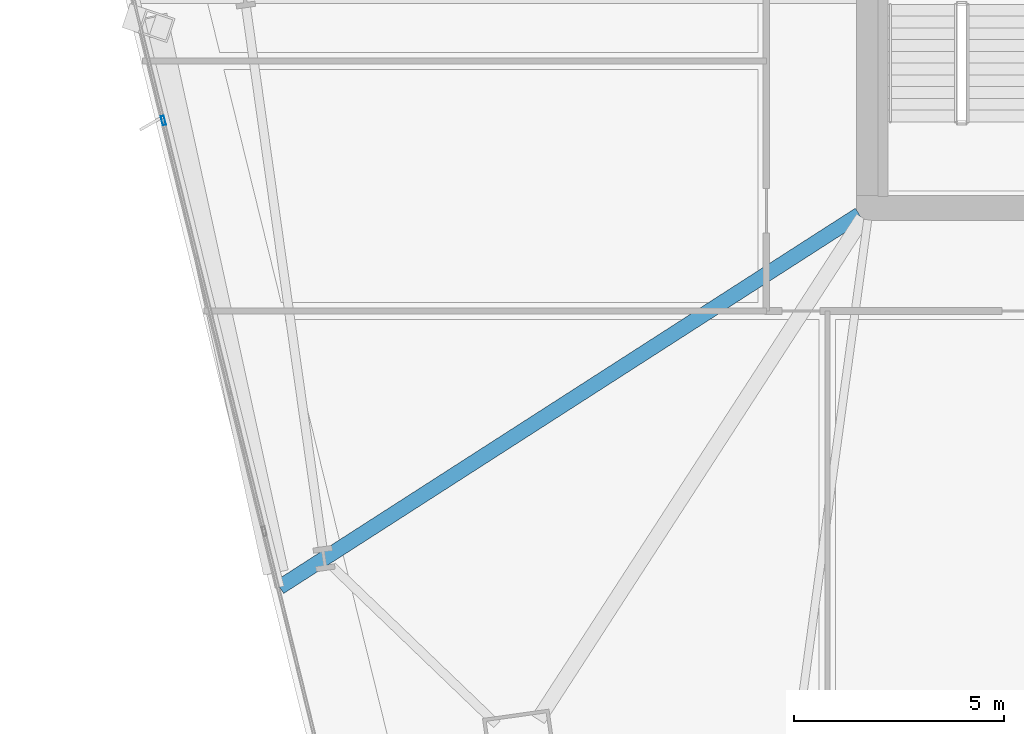
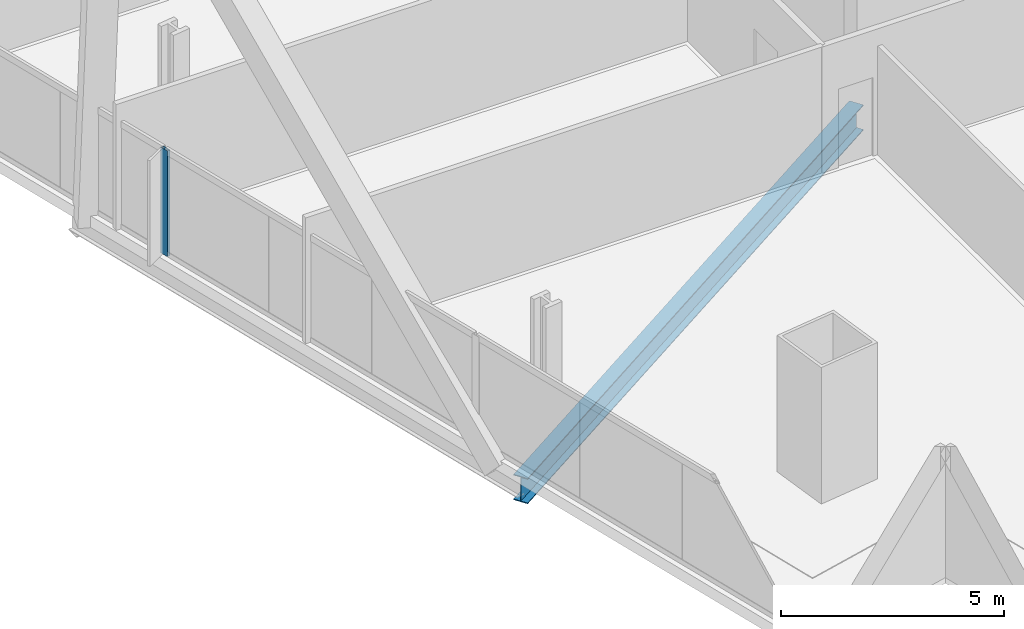
# One storey, part 5 of 32: 1 beam, 1 member, 1 element without a shape of its own.
"""IFC4 building model written with IfcOpenShell, lengths in metres."""

from ifc_helpers import new_model, si_unit, direction, frame, origin, origin_2d, place, context, subcontext, project, spatial, hollow_rectangle, i_section, extrude, material, material_profile, profile_set, type_object, element, aggregate, save


model = new_model("IFC4")

# Units and contexts
model_context = context("Model", 3, precision=1e-05, world=origin(), true_north=direction((0.0, 1.0)))
body_context = subcontext(model_context, "Body", "Model", "MODEL_VIEW")
ifc_project = project(units=[si_unit("LENGTHUNIT", "METRE"), si_unit("AREAUNIT", "SQUARE_METRE"), si_unit("VOLUMEUNIT", "CUBIC_METRE"), si_unit("PLANEANGLEUNIT", "RADIAN"), si_unit("MASSUNIT", "GRAM", prefix="KILO")], contexts=[model_context])

# Site, building, storey
site_placement = place(None, origin())
site = spatial("IfcSite", under=ifc_project, at=site_placement, CompositionType="ELEMENT")
building_placement = place(site_placement, origin())
building = spatial("IfcBuilding", under=site, at=building_placement, Name="Haldenkirk Collegiate Tower", CompositionType="ELEMENT")
storey_placement = place(building_placement, frame((0.0, 0.0, 73.949951171875)))
storey = spatial("IfcBuildingStorey", under=building, at=storey_placement, Name="L17", CompositionType="ELEMENT", Elevation=73.949951171875)

# Beam
ifc_material_1 = material(Name="Steel ASTM A992 Grade 50", Category="steel")
ifc_material_profile_1 = material_profile(ifc_material_1, i_section(OverallWidth=0.35498046875, OverallDepth=0.696044921875, WebThickness=0.015380859375, FlangeThickness=0.02490234375, at=origin_2d()), Name="W27X146")
ifc_profile_set_1 = profile_set([ifc_material_profile_1], Name="Steel ASTM A992 Grade 50")
beam_type = type_object("IfcBeamType", Name="BM-GIRDER-W27X146", PredefinedType="BEAM", material=ifc_profile_set_1)
beam_placement = place(storey_placement, frame((12.96533203125, 8.97802734375, -0.657958984375), z_axis=(0.841184761512, 0.540747812756, 0.0), x_axis=(-0.540747812756, 0.841184761512, 0.0)))
element("IfcBeam", 1, at=beam_placement, inside=storey, type_object=beam_type, Name="L17 primary floor girder 16", PredefinedType="BEAM", context=body_context, shape_type="SweptSolid", body=[
    extrude(i_section(OverallWidth=0.35498046875, OverallDepth=0.696044921875, WebThickness=0.015380859375, FlangeThickness=0.02490234375, at=origin_2d()), origin(), (0.0, 0.0, 1.0), 16.404296875),
])

# Curtain wall, member
ifc_material_2 = material(Name="Anodised architectural bronze aluminium", Category="aluminium")
curtain_wall_type = type_object("IfcCurtainWallType", Name="CW-SYS1-CONVEX-LOW", PredefinedType="USERDEFINED", material=ifc_material_2)
curtain_wall_placement = place(storey_placement, origin())
curtain_wall = element("IfcCurtainWall", 2, at=curtain_wall_placement, inside=storey, type_object=curtain_wall_type, Name="L17 Lower tower convex bronze-framed unitised curtain wall", ObjectType="UNITISED CURTAIN WALL", PredefinedType="USERDEFINED")
ifc_material_profile_2 = material_profile(ifc_material_2, hollow_rectangle(XDim=0.080078125, YDim=0.219970703125, WallThickness=0.0048828125, at=origin_2d()), Name="CW-MUL-1A")
ifc_profile_set_2 = profile_set([ifc_material_profile_2], Name="Anodised architectural bronze aluminium")
member_type = type_object("IfcMemberType", Name="CW-MUL-1A", PredefinedType="MULLION", material=ifc_profile_set_2)
member_placement = place(storey_placement, frame((10.195556640625, 20.086669921875, 0.0), z_axis=(0.0, 0.0, 1.0), x_axis=(-0.97113457572, -0.238532253249, 0.0)))
member = element("IfcMember", 3, at=member_placement, type_object=member_type, Name="CW-1A mullion 3", PredefinedType="MULLION", context=body_context, shape_type="SweptSolid", body=[
    extrude(hollow_rectangle(XDim=0.080078125, YDim=0.219970703125, WallThickness=0.0048828125, at=origin_2d()), origin(), (0.0, 0.0, 1.0), 2.89111328125),
])
aggregate(curtain_wall, [member])

save(model, "model.ifc")
